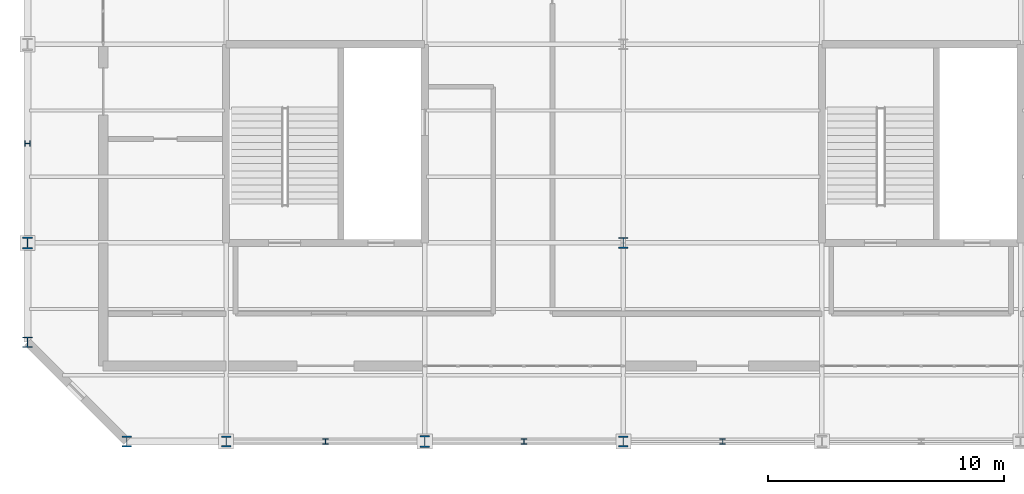
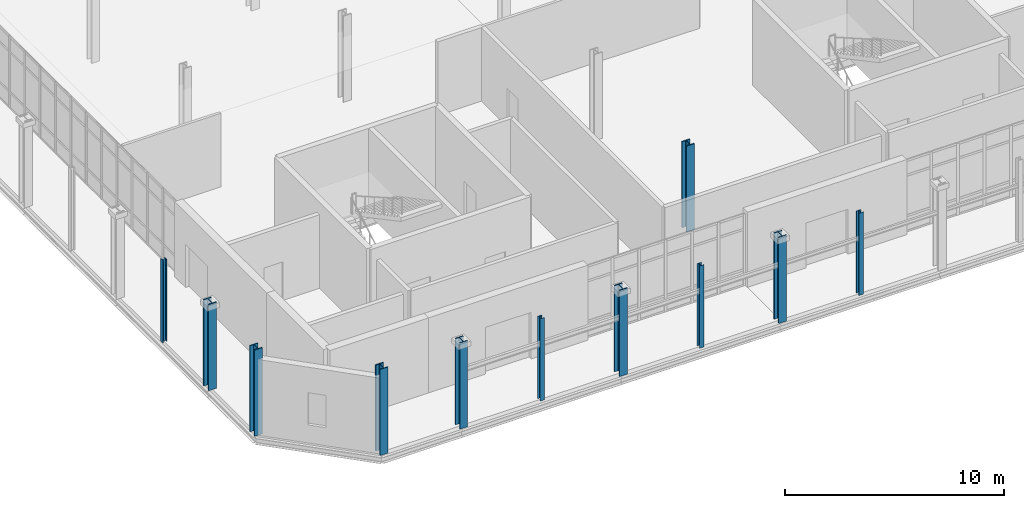
# One storey, part 1 of 145: 11 columns.
"""IFC4 building model written with IfcOpenShell, lengths in metres."""

from ifc_helpers import new_model, si_unit, direction, frame, origin, origin_2d, place, context, subcontext, project, spatial, i_section, extrude, material, material_profile, profile_set, type_object, element, save


model = new_model("IFC4")

# Units and contexts
model_context = context("Model", 3, precision=1e-05, world=origin(), true_north=direction((0.0, 1.0)))
body_context = subcontext(model_context, "Body", "Model", "MODEL_VIEW")
ifc_project = project(units=[si_unit("LENGTHUNIT", "METRE"), si_unit("AREAUNIT", "SQUARE_METRE"), si_unit("VOLUMEUNIT", "CUBIC_METRE"), si_unit("PLANEANGLEUNIT", "RADIAN"), si_unit("MASSUNIT", "GRAM", prefix="KILO")], contexts=[model_context])

# Site, building, storey
site_placement = place(None, origin())
site = spatial("IfcSite", under=ifc_project, at=site_placement, CompositionType="ELEMENT")
building_placement = place(site_placement, origin())
building = spatial("IfcBuilding", under=site, at=building_placement, Name="Qalvenar Corner Mobility Hub", CompositionType="ELEMENT")
storey_placement = place(building_placement, origin())
storey = spatial("IfcBuildingStorey", under=building, at=storey_placement, Name="L00", CompositionType="ELEMENT", Elevation=0.0)

# Columns
ifc_material = material(Name="Steel S355", Category="steel")
ifc_material_profile_1 = material_profile(ifc_material, i_section(OverallWidth=0.412109375, OverallDepth=0.455078125, WebThickness=0.030517578125, FlangeThickness=0.049072265625, FilletRadius=0.014892578125, at=origin_2d()), Name="HD400x421")
ifc_profile_set_1 = profile_set([ifc_material_profile_1], Name="Steel S355")
column_type_1 = type_object("IfcColumnType", Name="COL-HD400X382", PredefinedType="COLUMN", material=ifc_profile_set_1)
for number, where, z_axis, x_axis, name in (
    (1, (8.39990234375, 0.0, 0.0), (0.0, 0.0, 1.0), (1.0, 0.0, 0.0), "Steel Column L00-G2-0"),
    (2, (25.199951171875, 0.0, 0.0), (0.0, 0.0, 1.0), (1.0, 0.0, 0.0), "Steel Column L00-G4-0"),
    (3, (25.199951171875, 8.39990234375, 0.0), (0.0, 0.0, 1.0), (1.0, 0.0, 0.0), "Steel Column L00-G4-1"),
    (4, (4.199951171875, 0.0, 0.0), (0.0, 0.0, 1.0), (1.0, 0.0, 0.0), "Steel Column L00-SPL-S"),
    (5, (0.0, 4.199951171875, 0.0), (0.0, 0.0, 1.0), (1.0, 0.0, 0.0), "Steel Column L00-SPL-W"),
):
    element("IfcColumn", number, at=place(storey_placement, frame(where, z_axis=z_axis, x_axis=x_axis)), inside=storey, type_object=column_type_1, Name=name, PredefinedType="COLUMN", context=body_context, shape_type="SweptSolid", body=[
        extrude(i_section(OverallWidth=0.412109375, OverallDepth=0.455078125, WebThickness=0.030517578125, FlangeThickness=0.049072265625, FilletRadius=0.014892578125, at=origin_2d()), origin(), (0.0, 0.0, 1.0), 4.800048828125),
    ])
ifc_material_profile_2 = material_profile(ifc_material, i_section(OverallWidth=0.419921875, OverallDepth=0.5048828125, WebThickness=0.03662109375, FlangeThickness=0.05908203125, FilletRadius=0.014892578125, at=origin_2d()), Name="HD400x551")
ifc_profile_set_2 = profile_set([ifc_material_profile_2], Name="Steel S355")
column_type_2 = type_object("IfcColumnType", Name="COL-HD400X463", PredefinedType="COLUMN", material=ifc_profile_set_2)
for number, where, z_axis, x_axis, name in (
    (6, (0.0, 8.39990234375, 0.0), (0.0, 0.0, 1.0), (1.0, 0.0, 0.0), "Steel Column L00-G1-1"),
    (7, (16.800048828125, 0.0, 0.0), (0.0, 0.0, 1.0), (1.0, 0.0, 0.0), "Steel Column L00-G3-0"),
):
    element("IfcColumn", number, at=place(storey_placement, frame(where, z_axis=z_axis, x_axis=x_axis)), inside=storey, type_object=column_type_2, Name=name, PredefinedType="COLUMN", context=body_context, shape_type="SweptSolid", body=[
        extrude(i_section(OverallWidth=0.419921875, OverallDepth=0.5048828125, WebThickness=0.03662109375, FlangeThickness=0.05908203125, FilletRadius=0.014892578125, at=origin_2d()), origin(), (0.0, 0.0, 1.0), 4.800048828125),
    ])
ifc_material_profile_3 = material_profile(ifc_material, i_section(OverallWidth=0.219970703125, OverallDepth=0.219970703125, WebThickness=0.009521484375, FlangeThickness=0.01611328125, FilletRadius=0.01806640625, at=origin_2d()), Name="HEB220")
ifc_profile_set_3 = profile_set([ifc_material_profile_3], Name="Steel S355")
column_type_3 = type_object("IfcColumnType", Name="COL-PIL-HEB220", PredefinedType="PILASTER", material=ifc_profile_set_3)
column_placement = place(storey_placement, frame((0.0, 12.60009765625, 0.0), z_axis=(0.0, 0.0, 1.0), x_axis=(0.0, 1.0, 0.0)))
element("IfcColumn", 8, at=column_placement, inside=storey, type_object=column_type_3, Name="Arcade Pilaster PW-06", PredefinedType="PILASTER", context=body_context, shape_type="SweptSolid", body=[
    extrude(i_section(OverallWidth=0.219970703125, OverallDepth=0.219970703125, WebThickness=0.009521484375, FlangeThickness=0.01611328125, FilletRadius=0.01806640625, at=origin_2d()), origin(), (0.0, 0.0, 1.0), 4.580078125),
])
ifc_material_profile_4 = material_profile(ifc_material, i_section(OverallWidth=0.239990234375, OverallDepth=0.239990234375, WebThickness=0.010009765625, FlangeThickness=0.01708984375, FilletRadius=0.02099609375, at=origin_2d()), Name="HEB240")
ifc_profile_set_4 = profile_set([ifc_material_profile_4], Name="Steel S355")
column_type_4 = type_object("IfcColumnType", Name="COL-PIL-HEB240", PredefinedType="PILASTER", material=ifc_profile_set_4)
for number, where, z_axis, x_axis, name in (
    (9, (12.60009765625, 0.0, 0.0), (0.0, 0.0, 1.0), (1.0, 0.0, 0.0), "Arcade Pilaster PS-01"),
    (10, (21.0, 0.0, 0.0), (0.0, 0.0, 1.0), (1.0, 0.0, 0.0), "Arcade Pilaster PS-02"),
    (11, (29.39990234375, 0.0, 0.0), (0.0, 0.0, 1.0), (1.0, 0.0, 0.0), "Arcade Pilaster PS-03"),
):
    element("IfcColumn", number, at=place(storey_placement, frame(where, z_axis=z_axis, x_axis=x_axis)), inside=storey, type_object=column_type_4, Name=name, PredefinedType="PILASTER", context=body_context, shape_type="SweptSolid", body=[
        extrude(i_section(OverallWidth=0.239990234375, OverallDepth=0.239990234375, WebThickness=0.010009765625, FlangeThickness=0.01708984375, FilletRadius=0.02099609375, at=origin_2d()), origin(), (0.0, 0.0, 1.0), 4.580078125),
    ])

save(model, "model.ifc")
